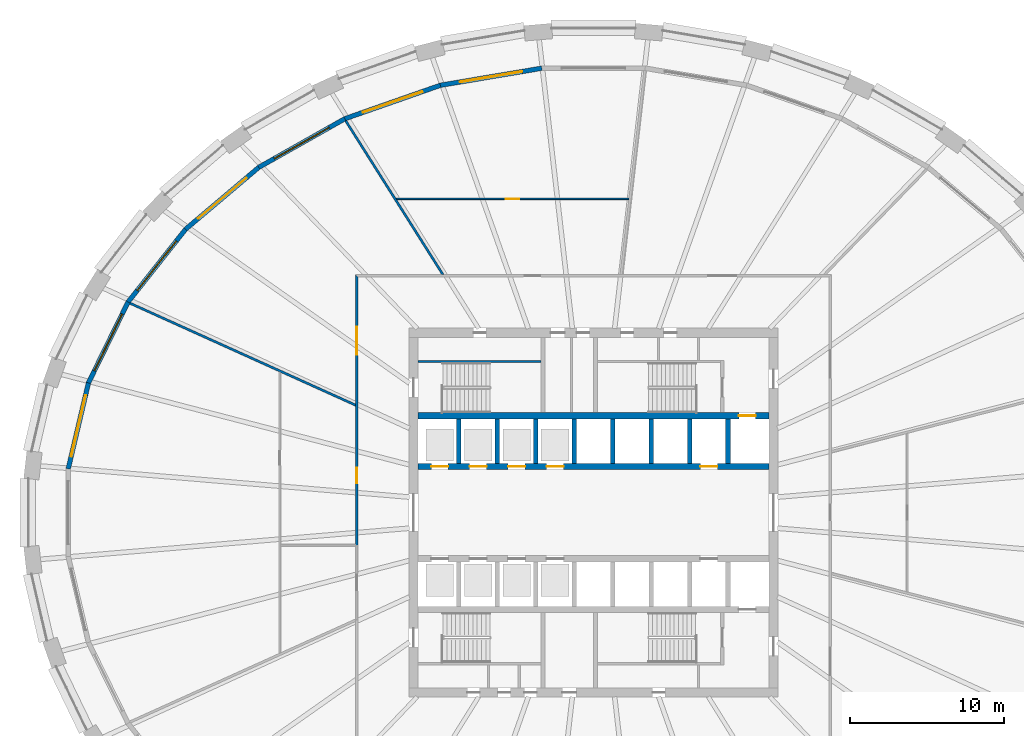
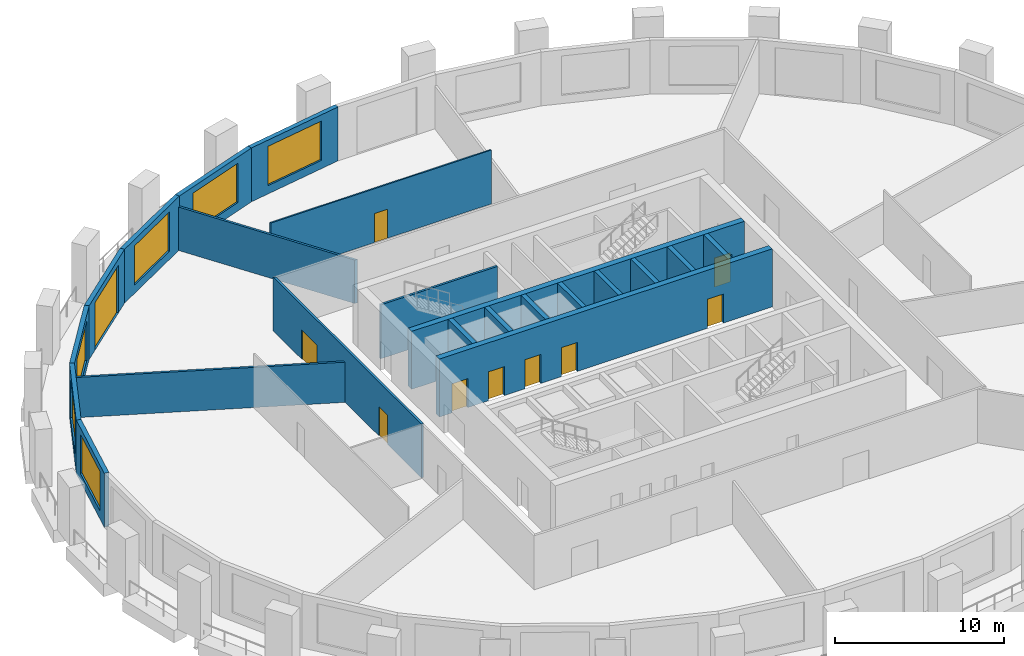
# One storey, part 5 of 10: 22 walls, 10 doors, 6 windows, 16 openings.
"""IFC4 building model written with IfcOpenShell, lengths in metres."""

from ifc_helpers import new_model, si_unit, direction, frame, frame_2d, origin, place, context, subcontext, project, spatial, polyline, rectangle, outline, extrude, material, layer, layer_set, type_object, element, fill, save


model = new_model("IFC4")

# Units and contexts
model_context = context("Model", 3, precision=1e-05, world=origin(), true_north=direction((0.0, 1.0)))
body_context = subcontext(model_context, "Body", "Model", "MODEL_VIEW")
ifc_project = project(units=[si_unit("LENGTHUNIT", "METRE"), si_unit("AREAUNIT", "SQUARE_METRE"), si_unit("VOLUMEUNIT", "CUBIC_METRE"), si_unit("PLANEANGLEUNIT", "RADIAN"), si_unit("MASSUNIT", "GRAM", prefix="KILO")], contexts=[model_context])

# Site, building, storey
site_placement = place(None, origin())
site = spatial("IfcSite", under=ifc_project, at=site_placement, CompositionType="ELEMENT")
building_placement = place(site_placement, origin())
building = spatial("IfcBuilding", under=site, at=building_placement, Name="Halqa Exchange Tower", CompositionType="ELEMENT")
storey_placement = place(building_placement, frame((0.0, 0.0, 69.699951171875)))
storey = spatial("IfcBuildingStorey", under=building, at=storey_placement, Name="L15", CompositionType="ELEMENT", Elevation=69.699951171875)

# Walls
ifc_material_1 = material(Name="Fire-rated gypsum board")
ifc_layer_1 = layer(ifc_material_1, 0.14990234375)
ifc_layer_set_1 = layer_set([ifc_layer_1], Name="Fire-rated gypsum board")
wall_type_1 = type_object("IfcWallType", Name="Fire partition EI 60 150", PredefinedType="PARTITIONING", material=ifc_layer_set_1)
wall_1_placement = place(storey_placement, frame((-30.14111328125, 13.61865234375, 0.0), z_axis=(0.0, 0.0, 1.0), x_axis=(0.911340188741, -0.411654054257, 0.0)))
element("IfcWall", 1, at=wall_1_placement, inside=storey, type_object=wall_type_1, Name="L15-PWL-002", PredefinedType="PARTITIONING", context=body_context, shape_type="SweptSolid", body=[
    extrude(outline(polyline([(0.0, -0.074951171875), (1.795654296875, -0.074951171875), (3.591552734375, -0.074951171875), (5.38720703125, -0.074951171875), (7.182861328125, -0.074951171875), (8.978759765625, -0.074951171875), (10.7744140625, -0.074951171875), (10.777099609375, -0.07373046875), (10.777587890625, -0.074951171875), (12.560546875, -0.074951171875), (14.34375, -0.074951171875), (16.126708984375, -0.074951171875), (16.126708984375, -0.074951171875), (16.05908203125, 0.074951171875), (14.27685546875, 0.074951171875), (12.494873046875, 0.074951171875), (10.712890625, 0.074951171875), (8.9306640625, 0.074951171875), (7.148681640625, 0.074951171875), (5.366455078125, 0.074951171875), (3.58447265625, 0.074951171875), (1.802490234375, 0.074951171875), (0.020263671875, 0.074951171875), (0.001953125, 0.001953125), (0.0, -0.06396484375), (0.0, -0.074951171875)])), origin(), (0.0, 0.0, 1.0), 2.91015625),
])
wall_2_placement = place(storey_placement, frame((-16.11328125, 25.48193359375, 0.0), z_axis=(0.0, 0.0, 1.0), x_axis=(0.534334526362, -0.845273100209, 0.0)))
element("IfcWall", 2, at=wall_2_placement, inside=storey, type_object=wall_type_1, Name="L15-PWL-005", PredefinedType="PARTITIONING", context=body_context, shape_type="SweptSolid", body=[
    extrude(outline(polyline([(0.0, -0.074951171875), (1.96533203125, -0.074951171875), (3.930419921875, -0.074951171875), (5.895751953125, -0.074951171875), (7.86083984375, -0.074951171875), (9.826171875, -0.074951171875), (11.791259765625, -0.074951171875), (11.885986328125, 0.07470703125), (11.885986328125, 0.074951171875), (9.963623046875, 0.074951171875), (8.041015625, 0.074951171875), (6.11865234375, 0.074951171875), (6.11767578125, 0.0732421875), (6.114990234375, 0.074951171875), (4.59130859375, 0.074951171875), (3.067626953125, 0.074951171875), (1.5439453125, 0.074951171875), (0.020263671875, 0.074951171875), (0.00341796875, 0.00244140625), (0.0, -0.068603515625), (0.0, -0.074951171875)])), origin(), (0.0, 0.0, 1.0), 3.14697265625),
])

# Wall, openings, doors
wall_3_placement = place(storey_placement, frame((-15.39990234375, -2.1201171875, 0.0), z_axis=(0.0, 0.0, 1.0), x_axis=(0.0, 1.0, 0.0)))
wall_3 = element("IfcWall", 3, at=wall_3_placement, inside=storey, type_object=wall_type_1, Name="L15-PWL-009", PredefinedType="PARTITIONING", context=body_context, shape_type="SweptSolid", body=[
    extrude(outline(polyline([(0.0, -0.074951171875), (1.938232421875, -0.074951171875), (3.876708984375, -0.074951171875), (5.81494140625, -0.074951171875), (7.75341796875, -0.074951171875), (9.691650390625, -0.074951171875), (11.630126953125, -0.074951171875), (13.568359375, -0.074951171875), (15.5068359375, -0.074951171875), (17.445068359375, -0.074951171875), (17.594970703125, 0.074951171875), (15.639892578125, 0.074951171875), (13.68505859375, 0.074951171875), (11.72998046875, 0.074951171875), (9.77490234375, 0.074951171875), (7.820068359375, 0.074951171875), (5.864990234375, 0.074951171875), (3.909912109375, 0.074951171875), (1.955078125, 0.074951171875), (0.0, 0.074951171875), (0.0, -0.074951171875)])), origin(), (0.0, 0.0, 1.0), 3.900146484375),
])
opening_1_placement = place(wall_3_placement, frame((12.39990234375, 0.0, 0.0)))
opening_1 = element("IfcOpeningElement", 4, at=opening_1_placement, cuts=wall_3, Name="Opening 04-06", PredefinedType="OPENING", context=body_context, shape_type="SweptSolid", body=[
    extrude(rectangle(XDim=1.800048828125, YDim=2.10009765625, at=frame_2d((0.89990234375, 1.050048828125))), frame((0.0, 0.0869140625, 0.0), z_axis=(0.0, -1.0, 0.0), x_axis=(1.0, 0.0, 0.0)), (0.0, 0.0, 1.0), 0.173828125),
])
opening_2_placement = place(wall_3_placement, frame((4.0400390625, 0.0, 0.0)))
opening_2 = element("IfcOpeningElement", 5, at=opening_2_placement, cuts=wall_3, Name="Opening 04-08", PredefinedType="OPENING", context=body_context, shape_type="SweptSolid", body=[
    extrude(rectangle(XDim=1.0, YDim=2.10009765625, at=frame_2d((0.5, 1.050048828125))), frame((0.0, 0.0869140625, 0.0), z_axis=(0.0, -1.0, 0.0), x_axis=(1.0, 0.0, 0.0)), (0.0, 0.0, 1.0), 0.173828125),
])
ifc_material_2 = material(Name="Steel fire door leaf", Category="steel")
door_type_1 = type_object("IfcDoorType", Name="Fire door FD30S 1000 x 2100", OperationType="SINGLE_SWING_LEFT", PredefinedType="DOOR", material=ifc_material_2)
door_1_placement = place(opening_2_placement, origin())
door_1 = element("IfcDoor", 6, at=door_1_placement, inside=storey, type_object=door_type_1, Name="L15-IDR-008", OperationType="SINGLE_SWING_LEFT", OverallHeight=2.10009765625, OverallWidth=1.0, PredefinedType="DOOR", context=body_context, shape_type="SweptSolid", body=[
    extrude(rectangle(XDim=1.0, YDim=2.10009765625, at=frame_2d((0.5, 1.050048828125))), frame((0.0, 0.02490234375, 0.0), z_axis=(0.0, -1.0, 0.0), x_axis=(1.0, 0.0, 0.0)), (0.0, 0.0, 1.0), 0.050048828125),
])
fill(opening_2, door_1)
door_type_2 = type_object("IfcDoorType", Name="Fire door FD30S double 1800 x 2100", OperationType="DOUBLE_DOOR_SINGLE_SWING", PredefinedType="DOOR", material=ifc_material_2)
door_2_placement = place(opening_1_placement, origin())
door_2 = element("IfcDoor", 7, at=door_2_placement, inside=storey, type_object=door_type_2, Name="L15-IDR-006", OperationType="DOUBLE_DOOR_SINGLE_SWING", OverallHeight=2.10009765625, OverallWidth=1.800048828125, PredefinedType="DOOR", context=body_context, shape_type="SweptSolid", body=[
    extrude(rectangle(XDim=1.800048828125, YDim=2.10009765625, at=frame_2d((0.89990234375, 1.050048828125))), frame((0.0, 0.02490234375, 0.0), z_axis=(0.0, -1.0, 0.0), x_axis=(1.0, 0.0, 0.0)), (0.0, 0.0, 1.0), 0.050048828125),
])
fill(opening_1, door_2)

# Wall, opening, door
ifc_material_3 = material(Name="Gypsum board")
ifc_layer_2 = layer(ifc_material_3, 0.10009765625)
ifc_layer_set_2 = layer_set([ifc_layer_2], Name="Gypsum board")
wall_type_2 = type_object("IfcWallType", Name="Partition 100 gypsum", PredefinedType="PARTITIONING", material=ifc_layer_set_2)
wall_4_placement = place(storey_placement, frame((-12.843017578125, 20.39990234375, 0.0), z_axis=(0.0, 0.0, 1.0), x_axis=(1.0, 0.0, 0.0)))
wall_4 = element("IfcWall", 8, at=wall_4_placement, inside=storey, type_object=wall_type_2, Name="L15-PWL-011", PredefinedType="PARTITIONING", context=body_context, shape_type="SweptSolid", body=[
    extrude(outline(polyline([(0.062744140625, -0.050048828125), (1.946533203125, -0.050048828125), (3.83056640625, -0.050048828125), (5.71435546875, -0.050048828125), (7.598388671875, -0.050048828125), (9.482177734375, -0.050048828125), (11.3662109375, -0.050048828125), (13.25, -0.050048828125), (15.134033203125, -0.050048828125), (15.1455078125, 0.048583984375), (15.1455078125, 0.050048828125), (13.25244140625, 0.050048828125), (11.359130859375, 0.050048828125), (9.4658203125, 0.050048828125), (7.57275390625, 0.050048828125), (5.6796875, 0.050048828125), (3.786376953125, 0.050048828125), (1.89306640625, 0.050048828125), (0.0, 0.050048828125), (0.0, 0.04931640625), (0.062744140625, -0.050048828125)])), origin(), (0.0, 0.0, 1.0), 3.900146484375),
])
opening_3_placement = place(wall_4_placement, frame((7.1279296875, 0.0, 0.0)))
opening_3 = element("IfcOpeningElement", 9, at=opening_3_placement, cuts=wall_4, Name="Opening 04-13", PredefinedType="OPENING", context=body_context, shape_type="SweptSolid", body=[
    extrude(rectangle(XDim=0.89990234375, YDim=2.10009765625, at=frame_2d((0.449951171875, 1.050048828125))), frame((0.0, 0.06201171875, 0.0), z_axis=(0.0, -1.0, 0.0), x_axis=(1.0, 0.0, 0.0)), (0.0, 0.0, 1.0), 0.1240234375),
])
ifc_material_4 = material(Name="Timber door leaf", Category="wood")
door_type_3 = type_object("IfcDoorType", Name="Door 900 x 2100", OperationType="SINGLE_SWING_LEFT", PredefinedType="DOOR", material=ifc_material_4)
door_3_placement = place(opening_3_placement, frame((0.89990234375, 0.0, 0.0), z_axis=(0.0, 0.0, 1.0), x_axis=(-1.0, 0.0, 0.0)))
door_3 = element("IfcDoor", 10, at=door_3_placement, inside=storey, type_object=door_type_3, Name="L15-IDR-013", OperationType="SINGLE_SWING_LEFT", OverallHeight=2.10009765625, OverallWidth=0.89990234375, PredefinedType="DOOR", context=body_context, shape_type="SweptSolid", body=[
    extrude(rectangle(XDim=0.89990234375, YDim=2.10009765625, at=frame_2d((0.449951171875, 1.050048828125))), frame((0.0, 0.02490234375, 0.0), z_axis=(0.0, -1.0, 0.0), x_axis=(1.0, 0.0, 0.0)), (0.0, 0.0, 1.0), 0.050048828125),
])
fill(opening_3, door_3)

# Walls
ifc_material_5 = material(Name="Concrete C60/75", Category="concrete")
ifc_layer_3 = layer(ifc_material_5, 0.300048828125)
ifc_layer_set_3 = layer_set([ifc_layer_3], Name="Concrete C60/75")
wall_type_3 = type_object("IfcWallType", Name="RC core wall 300", PredefinedType="SHEAR", material=ifc_layer_set_3)
for number, where, z_axis, x_axis, name in (
    (11, (-8.75, 3.199951171875, 0.0), (0.0, 0.0, 1.0), (0.0, 1.0, 0.0), "Shaft divider N1"),
    (12, (-6.25, 3.199951171875, 0.0), (0.0, 0.0, 1.0), (0.0, 1.0, 0.0), "Shaft divider N2"),
    (13, (-3.75, 3.199951171875, 0.0), (0.0, 0.0, 1.0), (0.0, 1.0, 0.0), "Shaft divider N3"),
    (14, (-1.25, 3.199951171875, 0.0), (0.0, 0.0, 1.0), (0.0, 1.0, 0.0), "Shaft divider N4"),
    (15, (1.25, 3.199951171875, 0.0), (0.0, 0.0, 1.0), (0.0, 1.0, 0.0), "Shaft divider N5"),
    (16, (3.75, 3.199951171875, 0.0), (0.0, 0.0, 1.0), (0.0, 1.0, 0.0), "Shaft divider N6"),
    (17, (6.25, 3.199951171875, 0.0), (0.0, 0.0, 1.0), (0.0, 1.0, 0.0), "Shaft divider N7"),
    (18, (8.75, 3.199951171875, 0.0), (0.0, 0.0, 1.0), (0.0, 1.0, 0.0), "Shaft divider N8"),
):
    element("IfcWall", number, at=place(storey_placement, frame(where, z_axis=z_axis, x_axis=x_axis)), inside=storey, type_object=wall_type_3, Name=name, PredefinedType="SHEAR", context=body_context, shape_type="SweptSolid", body=[
        extrude(rectangle(XDim=2.900146484375, YDim=0.300048828125, at=frame_2d((1.4501953125, 0.0))), origin(), (0.0, 0.0, 1.0), 4.199951171875),
    ])

# Wall, openings, doors
ifc_material_6 = material(Name="Concrete C80/95", Category="concrete")
ifc_layer_4 = layer(ifc_material_6, 0.39990234375)
ifc_layer_set_4 = layer_set([ifc_layer_4], Name="Concrete C80/95")
wall_type_4 = type_object("IfcWallType", Name="RC core wall 400 C80/95", PredefinedType="SHEAR", material=ifc_layer_set_4)
wall_5_placement = place(storey_placement, frame((-11.39990234375, 3.0, 0.0), z_axis=(0.0, 0.0, 1.0), x_axis=(1.0, 0.0, 0.0)))
wall_5 = element("IfcWall", 19, at=wall_5_placement, inside=storey, type_object=wall_type_4, Name="Lift row front wall N", PredefinedType="SHEAR", context=body_context, shape_type="SweptSolid", body=[
    extrude(rectangle(XDim=22.7998046875, YDim=0.39990234375, at=frame_2d((11.39990234375, 0.0))), origin(), (0.0, 0.0, 1.0), 4.199951171875),
])
opening_4_placement = place(wall_5_placement, frame((0.85009765625, 0.0, 0.0)))
opening_4 = element("IfcOpeningElement", 20, at=opening_4_placement, cuts=wall_5, Name="Opening LD-LR1-T04", PredefinedType="OPENING", context=body_context, shape_type="SweptSolid", body=[
    extrude(rectangle(XDim=1.10009765625, YDim=2.10009765625, at=frame_2d((0.550048828125, 1.050048828125))), frame((0.0, 0.2119140625, 0.0), z_axis=(0.0, -1.0, 0.0), x_axis=(1.0, 0.0, 0.0)), (0.0, 0.0, 1.0), 0.423828125),
])
opening_5_placement = place(wall_5_placement, frame((3.35009765625, 0.0, 0.0)))
opening_5 = element("IfcOpeningElement", 21, at=opening_5_placement, cuts=wall_5, Name="Opening LD-LR2-T04", PredefinedType="OPENING", context=body_context, shape_type="SweptSolid", body=[
    extrude(rectangle(XDim=1.10009765625, YDim=2.10009765625, at=frame_2d((0.550048828125, 1.050048828125))), frame((0.0, 0.2119140625, 0.0), z_axis=(0.0, -1.0, 0.0), x_axis=(1.0, 0.0, 0.0)), (0.0, 0.0, 1.0), 0.423828125),
])
opening_6_placement = place(wall_5_placement, frame((5.85009765625, 0.0, 0.0)))
opening_6 = element("IfcOpeningElement", 22, at=opening_6_placement, cuts=wall_5, Name="Opening LD-LR3-T04", PredefinedType="OPENING", context=body_context, shape_type="SweptSolid", body=[
    extrude(rectangle(XDim=1.10009765625, YDim=2.10009765625, at=frame_2d((0.550048828125, 1.050048828125))), frame((0.0, 0.2119140625, 0.0), z_axis=(0.0, -1.0, 0.0), x_axis=(1.0, 0.0, 0.0)), (0.0, 0.0, 1.0), 0.423828125),
])
opening_7_placement = place(wall_5_placement, frame((8.35009765625, 0.0, 0.0)))
opening_7 = element("IfcOpeningElement", 23, at=opening_7_placement, cuts=wall_5, Name="Opening LD-LR4-T04", PredefinedType="OPENING", context=body_context, shape_type="SweptSolid", body=[
    extrude(rectangle(XDim=1.10009765625, YDim=2.10009765625, at=frame_2d((0.550048828125, 1.050048828125))), frame((0.0, 0.2119140625, 0.0), z_axis=(0.0, -1.0, 0.0), x_axis=(1.0, 0.0, 0.0)), (0.0, 0.0, 1.0), 0.423828125),
])
opening_8_placement = place(wall_5_placement, frame((18.35009765625, 0.0, 0.0)))
opening_8 = element("IfcOpeningElement", 24, at=opening_8_placement, cuts=wall_5, Name="Opening LD-SV1-T04", PredefinedType="OPENING", context=body_context, shape_type="SweptSolid", body=[
    extrude(rectangle(XDim=1.10009765625, YDim=2.10009765625, at=frame_2d((0.550048828125, 1.050048828125))), frame((0.0, 0.2119140625, 0.0), z_axis=(0.0, -1.0, 0.0), x_axis=(1.0, 0.0, 0.0)), (0.0, 0.0, 1.0), 0.423828125),
])
ifc_material_7 = material(Name="Stainless steel", Category="steel")
door_type_4 = type_object("IfcDoorType", Name="Lift landing door 1100 x 2100", OperationType="SLIDING_TO_LEFT", PredefinedType="DOOR", material=ifc_material_7)
door_4_placement = place(opening_4_placement, origin())
door_4 = element("IfcDoor", 25, at=door_4_placement, inside=storey, type_object=door_type_4, Name="Lift landing door LR1", OperationType="SLIDING_TO_LEFT", OverallHeight=2.10009765625, OverallWidth=1.10009765625, PredefinedType="DOOR", context=body_context, shape_type="SweptSolid", body=[
    extrude(rectangle(XDim=1.10009765625, YDim=2.10009765625, at=frame_2d((0.550048828125, 1.050048828125))), frame((0.0, 0.02490234375, 0.0), z_axis=(0.0, -1.0, 0.0), x_axis=(1.0, 0.0, 0.0)), (0.0, 0.0, 1.0), 0.050048828125),
])
fill(opening_4, door_4)
door_5_placement = place(opening_5_placement, origin())
door_5 = element("IfcDoor", 26, at=door_5_placement, inside=storey, type_object=door_type_4, Name="Lift landing door LR2", OperationType="SLIDING_TO_LEFT", OverallHeight=2.10009765625, OverallWidth=1.10009765625, PredefinedType="DOOR", context=body_context, shape_type="SweptSolid", body=[
    extrude(rectangle(XDim=1.10009765625, YDim=2.10009765625, at=frame_2d((0.550048828125, 1.050048828125))), frame((0.0, 0.02490234375, 0.0), z_axis=(0.0, -1.0, 0.0), x_axis=(1.0, 0.0, 0.0)), (0.0, 0.0, 1.0), 0.050048828125),
])
fill(opening_5, door_5)
door_6_placement = place(opening_6_placement, origin())
door_6 = element("IfcDoor", 27, at=door_6_placement, inside=storey, type_object=door_type_4, Name="Lift landing door LR3", OperationType="SLIDING_TO_LEFT", OverallHeight=2.10009765625, OverallWidth=1.10009765625, PredefinedType="DOOR", context=body_context, shape_type="SweptSolid", body=[
    extrude(rectangle(XDim=1.10009765625, YDim=2.10009765625, at=frame_2d((0.550048828125, 1.050048828125))), frame((0.0, 0.02490234375, 0.0), z_axis=(0.0, -1.0, 0.0), x_axis=(1.0, 0.0, 0.0)), (0.0, 0.0, 1.0), 0.050048828125),
])
fill(opening_6, door_6)
door_7_placement = place(opening_7_placement, origin())
door_7 = element("IfcDoor", 28, at=door_7_placement, inside=storey, type_object=door_type_4, Name="Lift landing door LR4", OperationType="SLIDING_TO_LEFT", OverallHeight=2.10009765625, OverallWidth=1.10009765625, PredefinedType="DOOR", context=body_context, shape_type="SweptSolid", body=[
    extrude(rectangle(XDim=1.10009765625, YDim=2.10009765625, at=frame_2d((0.550048828125, 1.050048828125))), frame((0.0, 0.02490234375, 0.0), z_axis=(0.0, -1.0, 0.0), x_axis=(1.0, 0.0, 0.0)), (0.0, 0.0, 1.0), 0.050048828125),
])
fill(opening_7, door_7)
door_8_placement = place(opening_8_placement, origin())
door_8 = element("IfcDoor", 29, at=door_8_placement, inside=storey, type_object=door_type_4, Name="Lift landing door SV1", OperationType="SLIDING_TO_LEFT", OverallHeight=2.10009765625, OverallWidth=1.10009765625, PredefinedType="DOOR", context=body_context, shape_type="SweptSolid", body=[
    extrude(rectangle(XDim=1.10009765625, YDim=2.10009765625, at=frame_2d((0.550048828125, 1.050048828125))), frame((0.0, 0.02490234375, 0.0), z_axis=(0.0, -1.0, 0.0), x_axis=(1.0, 0.0, 0.0)), (0.0, 0.0, 1.0), 0.050048828125),
])
fill(opening_8, door_8)

# Wall, opening, door
wall_6_placement = place(storey_placement, frame((-11.39990234375, 6.300048828125, 0.0), z_axis=(0.0, 0.0, 1.0), x_axis=(1.0, 0.0, 0.0)))
wall_6 = element("IfcWall", 30, at=wall_6_placement, inside=storey, type_object=wall_type_4, Name="Lift row back wall N", PredefinedType="SHEAR", context=body_context, shape_type="SweptSolid", body=[
    extrude(rectangle(XDim=22.7998046875, YDim=0.39990234375, at=frame_2d((11.39990234375, 0.0))), origin(), (0.0, 0.0, 1.0), 4.199951171875),
])
opening_9_placement = place(wall_6_placement, frame((20.85009765625, 0.0, 0.0)))
opening_9 = element("IfcOpeningElement", 31, at=opening_9_placement, cuts=wall_6, Name="Opening LD-FF1-T04", PredefinedType="OPENING", context=body_context, shape_type="SweptSolid", body=[
    extrude(rectangle(XDim=1.10009765625, YDim=2.10009765625, at=frame_2d((0.550048828125, 1.050048828125))), frame((0.0, 0.2119140625, 0.0), z_axis=(0.0, -1.0, 0.0), x_axis=(1.0, 0.0, 0.0)), (0.0, 0.0, 1.0), 0.423828125),
])
door_9_placement = place(opening_9_placement, origin())
door_9 = element("IfcDoor", 32, at=door_9_placement, inside=storey, type_object=door_type_4, Name="Lift landing door FF1", OperationType="SLIDING_TO_LEFT", OverallHeight=2.10009765625, OverallWidth=1.10009765625, PredefinedType="DOOR", context=body_context, shape_type="SweptSolid", body=[
    extrude(rectangle(XDim=1.10009765625, YDim=2.10009765625, at=frame_2d((0.550048828125, 1.050048828125))), frame((0.0, 0.02490234375, 0.0), z_axis=(0.0, -1.0, 0.0), x_axis=(1.0, 0.0, 0.0)), (0.0, 0.0, 1.0), 0.050048828125),
])
fill(opening_9, door_9)

# Wall
ifc_material_8 = material(Name="Concrete C30/37", Category="concrete")
ifc_layer_5 = layer(ifc_material_8, 0.14990234375)
ifc_layer_set_5 = layer_set([ifc_layer_5], Name="Concrete C30/37")
wall_type_5 = type_object("IfcWallType", Name="RC stair wall 150 C30/37", PredefinedType="SHEAR", material=ifc_layer_set_5)
wall_7_placement = place(storey_placement, frame((-11.39990234375, 9.824951171875, 0.0), z_axis=(0.0, 0.0, 1.0), x_axis=(1.0, 0.0, 0.0)))
element("IfcWall", 33, at=wall_7_placement, inside=storey, type_object=wall_type_5, Name="Stair ST1 north wall N", PredefinedType="SHEAR", context=body_context, shape_type="SweptSolid", body=[
    extrude(rectangle(XDim=8.0, YDim=0.14990234375, at=frame_2d((4.0, 0.0))), origin(), (0.0, 0.0, 1.0), 3.900146484375),
])

# Wall, opening, window
ifc_material_9 = material(Name="Limestone cladding", Category="masonry")
ifc_layer_6 = layer(ifc_material_9, 0.0400390625)
ifc_material_10 = material(Name="Ventilated cavity")
ifc_layer_7 = layer(ifc_material_10, 0.030029296875, ventilated=True)
ifc_material_11 = material(Name="Mineral wool insulation")
ifc_layer_8 = layer(ifc_material_11, 0.10009765625)
ifc_layer_9 = layer(ifc_material_8, 0.10009765625)
ifc_material_12 = material(Name="Internal plaster")
ifc_layer_10 = layer(ifc_material_12, 0.030029296875)
ifc_layer_set_6 = layer_set([ifc_layer_6, ifc_layer_7, ifc_layer_8, ifc_layer_9, ifc_layer_10], Name="Stone-faced insulated wall 300")
wall_type_6 = type_object("IfcWallType", Name="Stone-faced insulated wall 300", PredefinedType="STANDARD", material=ifc_layer_set_6)
wall_8_placement = place(storey_placement, frame((-3.362060546875, 28.902587890625, 0.0), z_axis=(0.0, 0.0, 1.0), x_axis=(-0.986153133093, -0.165837263877, 0.0)))
wall_8 = element("IfcWall", 34, at=wall_8_placement, inside=storey, type_object=wall_type_6, Name="Glass-line wall 9", PredefinedType="STANDARD", context=body_context, shape_type="SweptSolid", body=[
    extrude(outline(polyline([(-0.012451171875, -0.14990234375), (6.70068359375, -0.14990234375), (6.67529296875, 0.14990234375), (0.012451171875, 0.14990234375), (-0.012451171875, -0.14990234375)])), origin(), (0.0, 0.0, 1.0), 3.900146484375),
])
opening_10_placement = place(wall_8_placement, frame((1.294189453125, 0.0, 0.60009765625)))
opening_10 = element("IfcOpeningElement", 35, at=opening_10_placement, cuts=wall_8, Name="Opening W-F1-09", PredefinedType="OPENING", context=body_context, shape_type="SweptSolid", body=[
    extrude(rectangle(XDim=4.10009765625, YDim=2.85009765625, at=frame_2d((2.050048828125, 1.425048828125))), frame((0.0, 0.162109375, 0.0), z_axis=(0.0, -1.0, 0.0), x_axis=(1.0, 0.0, 0.0)), (0.0, 0.0, 1.0), 0.323974609375),
])
ifc_material_13 = material(Name="Clear low-emissivity glass in aluminium frame", Category="aluminium")
window_type = type_object("IfcWindowType", Name="Fixed clear glazed window 4100 x 2850", PartitioningType="TRIPLE_PANEL_VERTICAL", PredefinedType="WINDOW", material=ifc_material_13)
window_1_placement = place(opening_10_placement, origin())
window_1 = element("IfcWindow", 36, at=window_1_placement, inside=storey, type_object=window_type, Name="Window 1", OverallHeight=2.85009765625, OverallWidth=4.10009765625, PartitioningType="TRIPLE_PANEL_VERTICAL", PredefinedType="WINDOW", context=body_context, shape_type="SweptSolid", body=[
    extrude(rectangle(XDim=4.10009765625, YDim=2.85009765625, at=frame_2d((2.050048828125, 1.425048828125))), frame((0.0, 0.030029296875, 0.0), z_axis=(0.0, -1.0, 0.0), x_axis=(1.0, 0.0, 0.0)), (0.0, 0.0, 1.0), 0.06005859375),
])
fill(opening_10, window_1)

wall_9_placement = place(storey_placement, frame((-9.95751953125, 27.79345703125, 0.0), z_axis=(0.0, 0.0, 1.0), x_axis=(-0.94380689486, -0.330497420889, 0.0)))
wall_9 = element("IfcWall", 37, at=wall_9_placement, inside=storey, type_object=wall_type_6, Name="Glass-line wall 10", PredefinedType="STANDARD", context=body_context, shape_type="SweptSolid", body=[
    extrude(outline(polyline([(-0.0126953125, -0.14990234375), (6.597412109375, -0.14990234375), (6.570556640625, 0.14990234375), (0.0126953125, 0.14990234375), (-0.0126953125, -0.14990234375)])), origin(), (0.0, 0.0, 1.0), 3.900146484375),
])
opening_11_placement = place(wall_9_placement, frame((1.241943359375, 0.0, 0.60009765625)))
opening_11 = element("IfcOpeningElement", 38, at=opening_11_placement, cuts=wall_9, Name="Opening W-F1-10", PredefinedType="OPENING", context=body_context, shape_type="SweptSolid", body=[
    extrude(rectangle(XDim=4.10009765625, YDim=2.85009765625, at=frame_2d((2.050048828125, 1.425048828125))), frame((0.0, 0.162109375, 0.0), z_axis=(0.0, -1.0, 0.0), x_axis=(1.0, 0.0, 0.0)), (0.0, 0.0, 1.0), 0.323974609375),
])
window_2_placement = place(opening_11_placement, origin())
window_2 = element("IfcWindow", 39, at=window_2_placement, inside=storey, type_object=window_type, Name="Window 1", OverallHeight=2.85009765625, OverallWidth=4.10009765625, PartitioningType="TRIPLE_PANEL_VERTICAL", PredefinedType="WINDOW", context=body_context, shape_type="SweptSolid", body=[
    extrude(rectangle(XDim=4.10009765625, YDim=2.85009765625, at=frame_2d((2.050048828125, 1.425048828125))), frame((0.0, 0.030029296875, 0.0), z_axis=(0.0, -1.0, 0.0), x_axis=(1.0, 0.0, 0.0)), (0.0, 0.0, 1.0), 0.06005859375),
])
fill(opening_11, window_2)

wall_10_placement = place(storey_placement, frame((-16.171630859375, 25.617431640625, 0.0), z_axis=(0.0, 0.0, 1.0), x_axis=(-0.870673928577, -0.491860661262, 0.0)))
wall_10 = element("IfcWall", 40, at=wall_10_placement, inside=storey, type_object=wall_type_6, Name="Glass-line wall 11", PredefinedType="STANDARD", context=body_context, shape_type="SweptSolid", body=[
    extrude(outline(polyline([(-0.013427734375, -0.14990234375), (6.43896484375, -0.14990234375), (6.41064453125, 0.14990234375), (0.013427734375, 0.14990234375), (-0.013427734375, -0.14990234375)])), origin(), (0.0, 0.0, 1.0), 3.900146484375),
])
opening_12_placement = place(wall_10_placement, frame((1.16259765625, 0.0, 0.60009765625)))
opening_12 = element("IfcOpeningElement", 41, at=opening_12_placement, cuts=wall_10, Name="Opening W-F1-11", PredefinedType="OPENING", context=body_context, shape_type="SweptSolid", body=[
    extrude(rectangle(XDim=4.10009765625, YDim=2.85009765625, at=frame_2d((2.050048828125, 1.425048828125))), frame((0.0, 0.162109375, 0.0), z_axis=(0.0, -1.0, 0.0), x_axis=(1.0, 0.0, 0.0)), (0.0, 0.0, 1.0), 0.323974609375),
])
window_3_placement = place(opening_12_placement, origin())
window_3 = element("IfcWindow", 42, at=window_3_placement, inside=storey, type_object=window_type, Name="Window 1", OverallHeight=2.85009765625, OverallWidth=4.10009765625, PartitioningType="TRIPLE_PANEL_VERTICAL", PredefinedType="WINDOW", context=body_context, shape_type="SweptSolid", body=[
    extrude(rectangle(XDim=4.10009765625, YDim=2.85009765625, at=frame_2d((2.050048828125, 1.425048828125))), frame((0.0, 0.030029296875, 0.0), z_axis=(0.0, -1.0, 0.0), x_axis=(1.0, 0.0, 0.0)), (0.0, 0.0, 1.0), 0.06005859375),
])
fill(opening_12, window_3)

# Wall, opening, door
wall_11_placement = place(storey_placement, frame((-21.765625, 22.457275390625, 0.0), z_axis=(0.0, 0.0, 1.0), x_axis=(-0.763655167989, -0.645624336905, 0.0)))
wall_11 = element("IfcWall", 43, at=wall_11_placement, inside=storey, type_object=wall_type_6, Name="Glass-line wall 12", PredefinedType="STANDARD", context=body_context, shape_type="SweptSolid", body=[
    extrude(outline(polyline([(-0.01416015625, -0.14990234375), (6.247314453125, -0.14990234375), (6.217041015625, 0.14990234375), (0.01416015625, 0.14990234375), (-0.01416015625, -0.14990234375)])), origin(), (0.0, 0.0, 1.0), 3.900146484375),
])
opening_13_placement = place(wall_11_placement, frame((1.066162109375, 0.0, 0.0)))
opening_13 = element("IfcOpeningElement", 44, at=opening_13_placement, cuts=wall_11, Name="Opening LG-F1-03", PredefinedType="OPENING", context=body_context, shape_type="SweptSolid", body=[
    extrude(rectangle(XDim=4.10009765625, YDim=3.449951171875, at=frame_2d((2.050048828125, 1.72509765625))), frame((0.0, 0.162109375, 0.0), z_axis=(0.0, -1.0, 0.0), x_axis=(1.0, 0.0, 0.0)), (0.0, 0.0, 1.0), 0.323974609375),
])
door_type_5 = type_object("IfcDoorType", Name="Glazed sliding loggia door 4100 x 3450", OperationType="DOUBLE_DOOR_SLIDING", PredefinedType="DOOR", material=ifc_material_13)
door_10_placement = place(opening_13_placement, origin())
door_10 = element("IfcDoor", 45, at=door_10_placement, inside=storey, type_object=door_type_5, Name="Loggia door 3", OperationType="DOUBLE_DOOR_SLIDING", OverallHeight=3.449951171875, OverallWidth=4.10009765625, PredefinedType="DOOR", context=body_context, shape_type="SweptSolid", body=[
    extrude(rectangle(XDim=4.10009765625, YDim=3.449951171875, at=frame_2d((2.050048828125, 1.72509765625))), frame((0.0, 0.02490234375, 0.0), z_axis=(0.0, -1.0, 0.0), x_axis=(1.0, 0.0, 0.0)), (0.0, 0.0, 1.0), 0.050048828125),
])
fill(opening_13, door_10)

# Wall, opening, window
wall_12_placement = place(storey_placement, frame((-26.52490234375, 18.43359375, 0.0), z_axis=(0.0, 0.0, 1.0), x_axis=(-0.620065339223, -0.784550173727, 0.0)))
wall_12 = element("IfcWall", 46, at=wall_12_placement, inside=storey, type_object=wall_type_6, Name="Glass-line wall 13", PredefinedType="STANDARD", context=body_context, shape_type="SweptSolid", body=[
    extrude(outline(polyline([(-0.01513671875, -0.14990234375), (6.0498046875, -0.14990234375), (6.017578125, 0.14990234375), (0.01513671875, 0.14990234375), (-0.01513671875, -0.14990234375)])), origin(), (0.0, 0.0, 1.0), 3.900146484375),
])
opening_14_placement = place(wall_12_placement, frame((0.966796875, 0.0, 0.60009765625)))
opening_14 = element("IfcOpeningElement", 47, at=opening_14_placement, cuts=wall_12, Name="Opening W-F1-13", PredefinedType="OPENING", context=body_context, shape_type="SweptSolid", body=[
    extrude(rectangle(XDim=4.10009765625, YDim=2.85009765625, at=frame_2d((2.050048828125, 1.425048828125))), frame((0.0, 0.162109375, 0.0), z_axis=(0.0, -1.0, 0.0), x_axis=(1.0, 0.0, 0.0)), (0.0, 0.0, 1.0), 0.323974609375),
])
window_4_placement = place(opening_14_placement, origin())
window_4 = element("IfcWindow", 48, at=window_4_placement, inside=storey, type_object=window_type, Name="Window 1", OverallHeight=2.85009765625, OverallWidth=4.10009765625, PartitioningType="TRIPLE_PANEL_VERTICAL", PredefinedType="WINDOW", context=body_context, shape_type="SweptSolid", body=[
    extrude(rectangle(XDim=4.10009765625, YDim=2.85009765625, at=frame_2d((2.050048828125, 1.425048828125))), frame((0.0, 0.030029296875, 0.0), z_axis=(0.0, -1.0, 0.0), x_axis=(1.0, 0.0, 0.0)), (0.0, 0.0, 1.0), 0.06005859375),
])
fill(opening_14, window_4)

wall_13_placement = place(storey_placement, frame((-30.26611328125, 13.699951171875, 0.0), z_axis=(0.0, 0.0, 1.0), x_axis=(-0.439949735177, -0.898022399786, 0.0)))
wall_13 = element("IfcWall", 49, at=wall_13_placement, inside=storey, type_object=wall_type_6, Name="Glass-line wall 14", PredefinedType="STANDARD", context=body_context, shape_type="SweptSolid", body=[
    extrude(outline(polyline([(-0.01611328125, -0.14990234375), (5.876953125, -0.14990234375), (5.84326171875, 0.14990234375), (0.01611328125, 0.14990234375), (-0.01611328125, -0.14990234375)])), origin(), (0.0, 0.0, 1.0), 3.900146484375),
])
opening_15_placement = place(wall_13_placement, frame((0.8798828125, 0.0, 0.60009765625)))
opening_15 = element("IfcOpeningElement", 50, at=opening_15_placement, cuts=wall_13, Name="Opening W-F1-14", PredefinedType="OPENING", context=body_context, shape_type="SweptSolid", body=[
    extrude(rectangle(XDim=4.10009765625, YDim=2.85009765625, at=frame_2d((2.050048828125, 1.425048828125))), frame((0.0, 0.162109375, 0.0), z_axis=(0.0, -1.0, 0.0), x_axis=(1.0, 0.0, 0.0)), (0.0, 0.0, 1.0), 0.323974609375),
])
window_5_placement = place(opening_15_placement, origin())
window_5 = element("IfcWindow", 51, at=window_5_placement, inside=storey, type_object=window_type, Name="Window 1", OverallHeight=2.85009765625, OverallWidth=4.10009765625, PartitioningType="TRIPLE_PANEL_VERTICAL", PredefinedType="WINDOW", context=body_context, shape_type="SweptSolid", body=[
    extrude(rectangle(XDim=4.10009765625, YDim=2.85009765625, at=frame_2d((2.050048828125, 1.425048828125))), frame((0.0, 0.030029296875, 0.0), z_axis=(0.0, -1.0, 0.0), x_axis=(1.0, 0.0, 0.0)), (0.0, 0.0, 1.0), 0.06005859375),
])
fill(opening_15, window_5)

wall_14_placement = place(storey_placement, frame((-32.84423828125, 8.4375, 0.0), z_axis=(0.0, 0.0, 1.0), x_axis=(-0.22905355604, -0.973413821797, 0.0)))
wall_14 = element("IfcWall", 52, at=wall_14_placement, inside=storey, type_object=wall_type_6, Name="Glass-line wall 15", PredefinedType="STANDARD", context=body_context, shape_type="SweptSolid", body=[
    extrude(outline(polyline([(-0.016845703125, -0.14990234375), (5.758056640625, -0.14990234375), (5.723388671875, 0.14990234375), (0.016845703125, 0.14990234375), (-0.016845703125, -0.14990234375)])), origin(), (0.0, 0.0, 1.0), 3.900146484375),
])
opening_16_placement = place(wall_14_placement, frame((0.8203125, 0.0, 0.60009765625)))
opening_16 = element("IfcOpeningElement", 53, at=opening_16_placement, cuts=wall_14, Name="Opening W-F1-15", PredefinedType="OPENING", context=body_context, shape_type="SweptSolid", body=[
    extrude(rectangle(XDim=4.10009765625, YDim=2.85009765625, at=frame_2d((2.050048828125, 1.425048828125))), frame((0.0, 0.162109375, 0.0), z_axis=(0.0, -1.0, 0.0), x_axis=(1.0, 0.0, 0.0)), (0.0, 0.0, 1.0), 0.323974609375),
])
window_6_placement = place(opening_16_placement, origin())
window_6 = element("IfcWindow", 54, at=window_6_placement, inside=storey, type_object=window_type, Name="Window 1", OverallHeight=2.85009765625, OverallWidth=4.10009765625, PartitioningType="TRIPLE_PANEL_VERTICAL", PredefinedType="WINDOW", context=body_context, shape_type="SweptSolid", body=[
    extrude(rectangle(XDim=4.10009765625, YDim=2.85009765625, at=frame_2d((2.050048828125, 1.425048828125))), frame((0.0, 0.030029296875, 0.0), z_axis=(0.0, -1.0, 0.0), x_axis=(1.0, 0.0, 0.0)), (0.0, 0.0, 1.0), 0.06005859375),
])
fill(opening_16, window_6)

save(model, "model.ifc")
